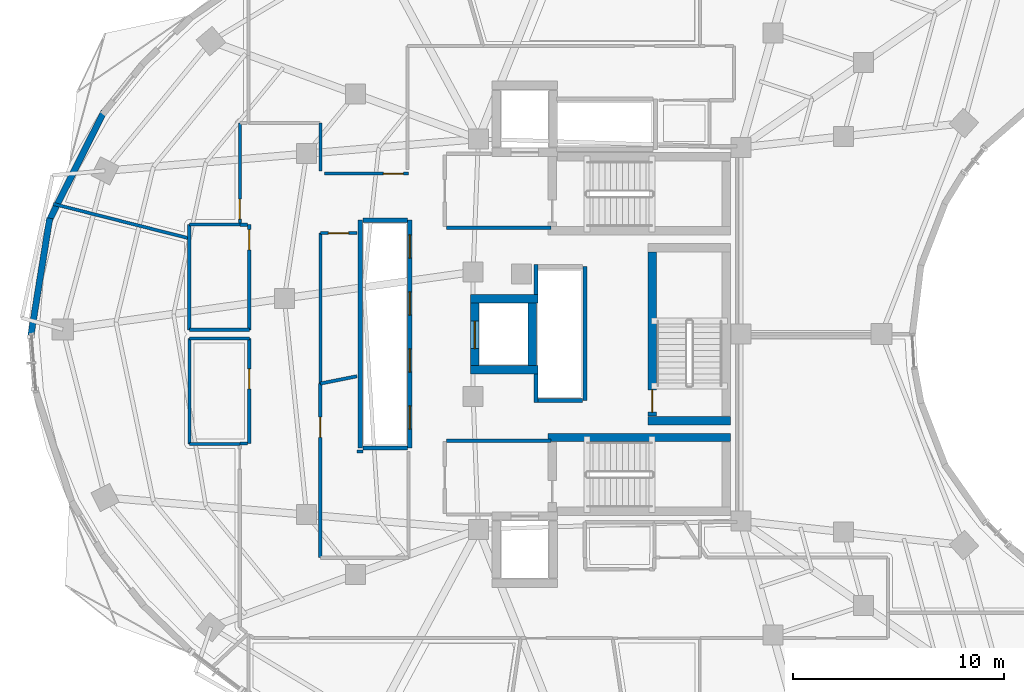
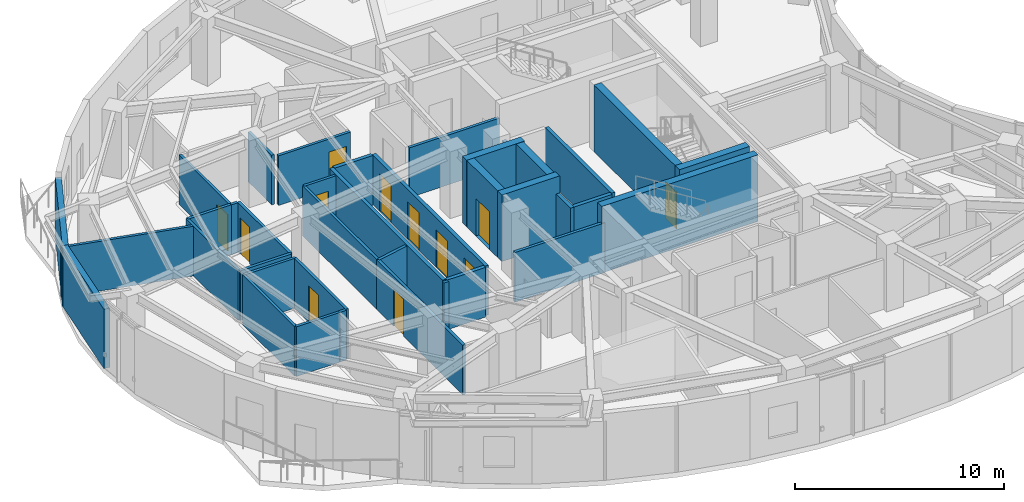
# One storey, part 9 of 15: 38 walls, 12 doors, 12 openings.
"""IFC4 building model written with IfcOpenShell, lengths in metres."""

from ifc_helpers import new_model, si_unit, direction, frame, frame_2d, origin, place, context, subcontext, project, spatial, rectangle, extrude, material, layer, layer_set, type_object, element, fill, save


model = new_model("IFC4")

# Units and contexts
model_context = context("Model", 3, precision=1e-05, world=origin(), true_north=direction((0.0, 1.0)))
body_context = subcontext(model_context, "Body", "Model", "MODEL_VIEW")
ifc_project = project(units=[si_unit("LENGTHUNIT", "METRE"), si_unit("AREAUNIT", "SQUARE_METRE"), si_unit("VOLUMEUNIT", "CUBIC_METRE"), si_unit("PLANEANGLEUNIT", "RADIAN"), si_unit("MASSUNIT", "GRAM", prefix="KILO")], contexts=[model_context])

# Site, building, storey
site_placement = place(None, origin())
site = spatial("IfcSite", under=ifc_project, at=site_placement, CompositionType="ELEMENT")
building_placement = place(site_placement, origin())
building = spatial("IfcBuilding", under=site, at=building_placement, Name="Korentha Bioscience Tower", CompositionType="ELEMENT")
storey_placement = place(building_placement, frame((0.0, 0.0, 235.199951171875)))
storey = spatial("IfcBuildingStorey", under=building, at=storey_placement, Name="L54", CompositionType="ELEMENT", Elevation=235.199951171875)

# Wall, opening, door
ifc_material_1 = material(Name="Double-Stud Acoustic Gypsum", Category="gypsum")
ifc_layer_1 = layer(ifc_material_1, 0.14990234375, Name="Double-Stud Acoustic Gypsum")
ifc_layer_set_1 = layer_set([ifc_layer_1], Name="Double-Stud Acoustic Gypsum (IW-L150)")
wall_type_1 = type_object("IfcWallType", Name="Acoustic Laboratory Partition Wall 150", PredefinedType="PARTITIONING", material=ifc_layer_set_1)
wall_1_placement = place(storey_placement, frame((14.239990234375, 26.800048828125, 0.0), z_axis=(0.0, 0.0, 1.0), x_axis=(0.0, -1.0, 0.0)))
wall_1 = element("IfcWall", 1, at=wall_1_placement, inside=storey, type_object=wall_type_1, Name="L54 Reclaimed Bank-1 Cold Freezer Alcove Entrance Wall", PredefinedType="PARTITIONING", context=body_context, shape_type="SweptSolid", body=[
    extrude(rectangle(XDim=4.989990234375, YDim=0.14990234375, at=frame_2d((2.4951171875, 0.0))), origin(), (0.0, 0.0, 1.0), 2.91015625),
])
opening_1_placement = place(wall_1_placement, frame((1.43994140625, 0.0, 0.0)))
opening_1 = element("IfcOpeningElement", 2, at=opening_1_placement, cuts=wall_1, Name="Opening ID-10L", PredefinedType="OPENING", context=body_context, shape_type="SweptSolid", body=[
    extrude(rectangle(XDim=0.949951171875, YDim=2.14990234375, at=frame_2d((0.47509765625, 1.074951171875))), frame((0.0, 0.08984375, 0.0), z_axis=(0.0, -1.0, 0.0), x_axis=(1.0, 0.0, 0.0)), (0.0, 0.0, 1.0), 0.1796875),
])
ifc_material_2 = material(Name="Phenolic Laminate Timber Core", Category="wood")
door_type_1 = type_object("IfcDoorType", Name="Laboratory Single Leaf Door 950x2150 Left", OperationType="SINGLE_SWING_LEFT", PredefinedType="DOOR", material=ifc_material_2)
door_1_placement = place(opening_1_placement, origin())
door_1 = element("IfcDoor", 3, at=door_1_placement, inside=storey, type_object=door_type_1, Name="L54 Reclaimed Bank-1 Cold Freezer Alcove Door", OperationType="SINGLE_SWING_LEFT", OverallHeight=2.14990234375, OverallWidth=0.949951171875, PredefinedType="DOOR", context=body_context, shape_type="SweptSolid", body=[
    extrude(rectangle(XDim=0.949951171875, YDim=2.14990234375, at=frame_2d((0.47509765625, 1.074951171875))), frame((0.0, 0.02490234375, 0.0), z_axis=(0.0, -1.0, 0.0), x_axis=(1.0, 0.0, 0.0)), (0.0, 0.0, 1.0), 0.050048828125),
])
fill(opening_1, door_1)

wall_2_placement = place(storey_placement, frame((21.7900390625, 34.610107421875, 0.0), z_axis=(0.0, 0.0, 1.0), x_axis=(-1.0, 0.0, 0.0)))
wall_2 = element("IfcWall", 4, at=wall_2_placement, inside=storey, type_object=wall_type_1, Name="L54 Neurobiology Electrophysiology Lab 10 Entrance Wall", PredefinedType="PARTITIONING", context=body_context, shape_type="SweptSolid", body=[
    extrude(rectangle(XDim=3.987060546875, YDim=0.14990234375, at=frame_2d((1.99365234375, 0.0))), origin(), (0.0, 0.0, 1.0), 2.91015625),
])
opening_2_placement = place(wall_2_placement, frame((0.239990234375, 0.0, 0.0)))
opening_2 = element("IfcOpeningElement", 5, at=opening_2_placement, cuts=wall_2, Name="Opening ID-10R", PredefinedType="OPENING", context=body_context, shape_type="SweptSolid", body=[
    extrude(rectangle(XDim=0.949951171875, YDim=2.14990234375, at=frame_2d((0.47509765625, 1.074951171875))), frame((0.0, 0.08984375, 0.0), z_axis=(0.0, -1.0, 0.0), x_axis=(1.0, 0.0, 0.0)), (0.0, 0.0, 1.0), 0.1796875),
])
door_type_2 = type_object("IfcDoorType", Name="Laboratory Single Leaf Door 950x2150 Right", OperationType="SINGLE_SWING_RIGHT", PredefinedType="DOOR", material=ifc_material_2)
door_2_placement = place(opening_2_placement, origin())
door_2 = element("IfcDoor", 6, at=door_2_placement, inside=storey, type_object=door_type_2, Name="L54 Neurobiology Electrophysiology Lab 10 Door", OperationType="SINGLE_SWING_RIGHT", OverallHeight=2.14990234375, OverallWidth=0.949951171875, PredefinedType="DOOR", context=body_context, shape_type="SweptSolid", body=[
    extrude(rectangle(XDim=0.949951171875, YDim=2.14990234375, at=frame_2d((0.47509765625, 1.074951171875))), frame((0.0, 0.02490234375, 0.0), z_axis=(0.0, -1.0, 0.0), x_axis=(1.0, 0.0, 0.0)), (0.0, 0.0, 1.0), 0.050048828125),
])
fill(opening_2, door_2)

wall_3_placement = place(storey_placement, frame((17.610107421875, 31.7900390625, 0.0), z_axis=(0.0, 0.0, 1.0), x_axis=(1.0, 0.0, 0.0)))
wall_3 = element("IfcWall", 7, at=wall_3_placement, inside=storey, type_object=wall_type_1, Name="L54 Bio-Printing Tissue Engineering Lab 12 Entrance Wall", PredefinedType="PARTITIONING", context=body_context, shape_type="SweptSolid", body=[
    extrude(rectangle(XDim=1.72998046875, YDim=0.14990234375, at=frame_2d((0.864990234375, 0.0))), origin(), (0.0, 0.0, 1.0), 2.91015625),
])
opening_3_placement = place(wall_3_placement, frame((0.385009765625, 0.0, 0.0)))
opening_3 = element("IfcOpeningElement", 8, at=opening_3_placement, cuts=wall_3, Name="Opening ID-10R", PredefinedType="OPENING", context=body_context, shape_type="SweptSolid", body=[
    extrude(rectangle(XDim=0.949951171875, YDim=2.14990234375, at=frame_2d((0.47509765625, 1.074951171875))), frame((0.0, 0.08984375, 0.0), z_axis=(0.0, -1.0, 0.0), x_axis=(1.0, 0.0, 0.0)), (0.0, 0.0, 1.0), 0.1796875),
])
door_3_placement = place(opening_3_placement, origin())
door_3 = element("IfcDoor", 9, at=door_3_placement, inside=storey, type_object=door_type_2, Name="L54 Bio-Printing Tissue Engineering Lab 12 Door", OperationType="SINGLE_SWING_RIGHT", OverallHeight=2.14990234375, OverallWidth=0.949951171875, PredefinedType="DOOR", context=body_context, shape_type="SweptSolid", body=[
    extrude(rectangle(XDim=0.949951171875, YDim=2.14990234375, at=frame_2d((0.47509765625, 1.074951171875))), frame((0.0, 0.02490234375, 0.0), z_axis=(0.0, -1.0, 0.0), x_axis=(1.0, 0.0, 0.0)), (0.0, 0.0, 1.0), 0.050048828125),
])
fill(opening_3, door_3)

# Walls
wall_4_placement = place(storey_placement, frame((14.162109375, 21.81005859375, 0.0), z_axis=(0.0, 0.0, 1.0), x_axis=(-1.0, 0.0, 0.0)))
element("IfcWall", 10, at=wall_4_placement, inside=storey, type_object=wall_type_1, Name="L54 Interior Partition 024", PredefinedType="PARTITIONING", context=body_context, shape_type="SweptSolid", body=[
    extrude(rectangle(XDim=0.362060546875, YDim=0.14990234375, at=frame_2d((0.18115234375, 0.0))), origin(), (0.0, 0.0, 1.0), 2.91015625),
])
wall_5_placement = place(storey_placement, frame((13.7900390625, 21.800048828125, 0.0), z_axis=(0.0, 0.0, 1.0), x_axis=(-1.0, 0.0, 0.0)))
element("IfcWall", 11, at=wall_5_placement, inside=storey, type_object=wall_type_1, Name="L54 Interior Partition 025", PredefinedType="PARTITIONING", context=body_context, shape_type="SweptSolid", body=[
    extrude(rectangle(XDim=2.39013671875, YDim=0.14990234375, at=frame_2d((1.195068359375, 0.0))), origin(), (0.0, 0.0, 1.0), 2.91015625),
])
wall_6_placement = place(storey_placement, frame((11.39990234375, 21.800048828125, 0.0), z_axis=(0.0, 0.0, 1.0), x_axis=(0.0, 1.0, 0.0)))
element("IfcWall", 12, at=wall_6_placement, inside=storey, type_object=wall_type_1, Name="L54 Interior Partition 026", PredefinedType="PARTITIONING", context=body_context, shape_type="SweptSolid", body=[
    extrude(rectangle(XDim=5.0, YDim=0.14990234375, at=frame_2d((2.5, 0.0))), origin(), (0.0, 0.0, 1.0), 2.91015625),
])
wall_7_placement = place(storey_placement, frame((11.39990234375, 26.800048828125, 0.0), z_axis=(0.0, 0.0, 1.0), x_axis=(1.0, 0.0, 0.0)))
element("IfcWall", 13, at=wall_7_placement, inside=storey, type_object=wall_type_1, Name="L54 Interior Partition 027", PredefinedType="PARTITIONING", context=body_context, shape_type="SweptSolid", body=[
    extrude(rectangle(XDim=2.840087890625, YDim=0.14990234375, at=frame_2d((1.419921875, 0.0))), origin(), (0.0, 0.0, 1.0), 2.91015625),
])
wall_8_placement = place(storey_placement, frame((4.95751953125, 33.17333984375, 0.0), z_axis=(0.0, 0.0, 1.0), x_axis=(0.969250966663, -0.246074305083, 0.0)))
element("IfcWall", 14, at=wall_8_placement, inside=storey, type_object=wall_type_1, Name="L54 Interior Partition 032", PredefinedType="PARTITIONING", context=body_context, shape_type="SweptSolid", body=[
    extrude(rectangle(XDim=6.636474609375, YDim=0.14990234375, at=frame_2d((3.318359375, 0.0))), origin(), (0.0, 0.0, 1.0), 2.91015625),
])
wall_9_placement = place(storey_placement, frame((17.610107421875, 34.73779296875, 0.0), z_axis=(0.0, 0.0, 1.0), x_axis=(0.0, 1.0, 0.0)))
element("IfcWall", 15, at=wall_9_placement, inside=storey, type_object=wall_type_1, Name="L54 Interior Partition 066", PredefinedType="PARTITIONING", context=body_context, shape_type="SweptSolid", body=[
    extrude(rectangle(XDim=2.26220703125, YDim=0.14990234375, at=frame_2d((1.131103515625, 0.0))), origin(), (0.0, 0.0, 1.0), 2.91015625),
])
wall_10_placement = place(storey_placement, frame((17.610107421875, 24.66650390625, 0.0), z_axis=(0.0, 0.0, 1.0), x_axis=(0.0, 1.0, 0.0)))
element("IfcWall", 16, at=wall_10_placement, inside=storey, type_object=wall_type_1, Name="L54 Interior Partition 071", PredefinedType="PARTITIONING", context=body_context, shape_type="SweptSolid", body=[
    extrude(rectangle(XDim=7.12353515625, YDim=0.14990234375, at=frame_2d((3.561767578125, 0.0))), origin(), (0.0, 0.0, 1.0), 2.91015625),
])

# Wall, opening, door
ifc_material_3 = material(Name="Insulated Aluminium Honeycomb Panel", Category="aluminium")
ifc_layer_2 = layer(ifc_material_3, 0.139892578125, Name="Insulated Aluminium Honeycomb Panel")
ifc_layer_set_2 = layer_set([ifc_layer_2], Name="Insulated Aluminium Honeycomb Panel (IW-F60)")
wall_type_2 = type_object("IfcWallType", Name="Cleanroom Flush Metal Panel Partition 140", PredefinedType="PARTITIONING", material=ifc_layer_set_2)
wall_11_placement = place(storey_placement, frame((13.7900390625, 37.0, 0.0), z_axis=(0.0, 0.0, 1.0), x_axis=(0.0, -1.0, 0.0)))
wall_11 = element("IfcWall", 17, at=wall_11_placement, inside=storey, type_object=wall_type_2, Name="L54 Stem-Cell Differentiation Cleanroom 11 Entrance Wall", PredefinedType="PARTITIONING", context=body_context, shape_type="SweptSolid", body=[
    extrude(rectangle(XDim=4.7900390625, YDim=0.139892578125, at=frame_2d((2.39501953125, 0.0))), origin(), (0.0, 0.0, 1.0), 2.91015625),
])
opening_4_placement = place(wall_11_placement, frame((3.60009765625, 0.0, 0.0)))
opening_4 = element("IfcOpeningElement", 18, at=opening_4_placement, cuts=wall_11, Name="Opening ID-10L", PredefinedType="OPENING", context=body_context, shape_type="SweptSolid", body=[
    extrude(rectangle(XDim=0.949951171875, YDim=2.14990234375, at=frame_2d((0.47509765625, 1.074951171875))), frame((0.0, 0.0849609375, 0.0), z_axis=(0.0, -1.0, 0.0), x_axis=(1.0, 0.0, 0.0)), (0.0, 0.0, 1.0), 0.169677734375),
])
door_4_placement = place(opening_4_placement, origin())
door_4 = element("IfcDoor", 19, at=door_4_placement, inside=storey, type_object=door_type_1, Name="L54 Stem-Cell Differentiation Cleanroom 11 Door", OperationType="SINGLE_SWING_LEFT", OverallHeight=2.14990234375, OverallWidth=0.949951171875, PredefinedType="DOOR", context=body_context, shape_type="SweptSolid", body=[
    extrude(rectangle(XDim=0.949951171875, YDim=2.14990234375, at=frame_2d((0.47509765625, 1.074951171875))), frame((0.0, 0.02490234375, 0.0), z_axis=(0.0, -1.0, 0.0), x_axis=(1.0, 0.0, 0.0)), (0.0, 0.0, 1.0), 0.050048828125),
])
fill(opening_4, door_4)

# Walls
ifc_material_4 = material(Name="Gypsum-Clad Steel Stud", Category="steel")
ifc_layer_3 = layer(ifc_material_4, 0.159912109375, Name="Gypsum-Clad Steel Stud")
ifc_layer_set_3 = layer_set([ifc_layer_3], Name="Gypsum-Clad Steel Stud (IW-C160)")
wall_type_3 = type_object("IfcWallType", Name="Fire-Rated Corridor Partition Wall 160", PredefinedType="PARTITIONING", material=ifc_layer_set_3)
for number, where, z_axis, x_axis, name in (
    (20, (23.580078125, 32.050048828125, 0.0), (0.0, 0.0, 1.0), (1.0, 0.0, 0.0), "L54 Firefighting Lobby Return Wall FFLN-S"),
    (21, (23.580078125, 21.949951171875, 0.0), (0.0, 0.0, 1.0), (1.0, 0.0, 0.0), "L54 Firefighting Lobby Return Wall FFLS-N"),
):
    element("IfcWall", number, at=place(storey_placement, frame(where, z_axis=z_axis, x_axis=x_axis)), inside=storey, type_object=wall_type_3, Name=name, PredefinedType="PARTITIONING", context=body_context, shape_type="SweptSolid", body=[
        extrude(rectangle(XDim=4.969970703125, YDim=0.159912109375, at=frame_2d((2.48486328125, 0.0))), origin(), (0.0, 0.0, 1.0), 2.91015625),
    ])

# Wall, opening, door
wall_12_placement = place(storey_placement, frame((14.239990234375, 32.18994140625, 0.0), z_axis=(0.0, 0.0, 1.0), x_axis=(0.0, -1.0, 0.0)))
wall_12 = element("IfcWall", 22, at=wall_12_placement, inside=storey, type_object=wall_type_3, Name="L54 Reclaimed Bank-1 Glassware Store Entrance Wall", PredefinedType="PARTITIONING", context=body_context, shape_type="SweptSolid", body=[
    extrude(rectangle(XDim=4.989990234375, YDim=0.159912109375, at=frame_2d((2.4951171875, 0.0))), origin(), (0.0, 0.0, 1.0), 2.91015625),
])
opening_5_placement = place(wall_12_placement, frame((0.239990234375, 0.0, 0.0)))
opening_5 = element("IfcOpeningElement", 23, at=opening_5_placement, cuts=wall_12, Name="Opening ID-10R", PredefinedType="OPENING", context=body_context, shape_type="SweptSolid", body=[
    extrude(rectangle(XDim=0.949951171875, YDim=2.14990234375, at=frame_2d((0.47509765625, 1.074951171875))), frame((0.0, 0.0947265625, 0.0), z_axis=(0.0, -1.0, 0.0), x_axis=(1.0, 0.0, 0.0)), (0.0, 0.0, 1.0), 0.189697265625),
])
door_5_placement = place(opening_5_placement, origin())
door_5 = element("IfcDoor", 24, at=door_5_placement, inside=storey, type_object=door_type_2, Name="L54 Reclaimed Bank-1 Glassware Store Door", OperationType="SINGLE_SWING_RIGHT", OverallHeight=2.14990234375, OverallWidth=0.949951171875, PredefinedType="DOOR", context=body_context, shape_type="SweptSolid", body=[
    extrude(rectangle(XDim=0.949951171875, YDim=2.14990234375, at=frame_2d((0.47509765625, 1.074951171875))), frame((0.0, 0.02490234375, 0.0), z_axis=(0.0, -1.0, 0.0), x_axis=(1.0, 0.0, 0.0)), (0.0, 0.0, 1.0), 0.050048828125),
])
fill(opening_5, door_5)

wall_13_placement = place(storey_placement, frame((17.610107421875, 16.409912109375, 0.0), z_axis=(0.0, 0.0, 1.0), x_axis=(0.0, 1.0, 0.0)))
wall_13 = element("IfcWall", 25, at=wall_13_placement, inside=storey, type_object=wall_type_3, Name="L54 Biospecimen Archive Store 02 Entrance Wall", PredefinedType="PARTITIONING", context=body_context, shape_type="SweptSolid", body=[
    extrude(rectangle(XDim=8.246337890625, YDim=0.159912109375, at=frame_2d((4.123046875, 0.0))), origin(), (0.0, 0.0, 1.0), 2.91015625),
])
opening_6_placement = place(wall_13_placement, frame((5.701416015625, 0.0, 0.0)))
opening_6 = element("IfcOpeningElement", 26, at=opening_6_placement, cuts=wall_13, Name="Opening ID-10R", PredefinedType="OPENING", context=body_context, shape_type="SweptSolid", body=[
    extrude(rectangle(XDim=0.949951171875, YDim=2.14990234375, at=frame_2d((0.47509765625, 1.074951171875))), frame((0.0, 0.0947265625, 0.0), z_axis=(0.0, -1.0, 0.0), x_axis=(1.0, 0.0, 0.0)), (0.0, 0.0, 1.0), 0.189697265625),
])
door_6_placement = place(opening_6_placement, origin())
door_6 = element("IfcDoor", 27, at=door_6_placement, inside=storey, type_object=door_type_2, Name="L54 Biospecimen Archive Store 02 Door", OperationType="SINGLE_SWING_RIGHT", OverallHeight=2.14990234375, OverallWidth=0.949951171875, PredefinedType="DOOR", context=body_context, shape_type="SweptSolid", body=[
    extrude(rectangle(XDim=0.949951171875, YDim=2.14990234375, at=frame_2d((0.47509765625, 1.074951171875))), frame((0.0, 0.02490234375, 0.0), z_axis=(0.0, -1.0, 0.0), x_axis=(1.0, 0.0, 0.0)), (0.0, 0.0, 1.0), 0.050048828125),
])
fill(opening_6, door_6)

# Walls
wall_14_placement = place(storey_placement, frame((13.800048828125, 32.18994140625, 0.0), z_axis=(0.0, 0.0, 1.0), x_axis=(1.0, 0.0, 0.0)))
element("IfcWall", 28, at=wall_14_placement, inside=storey, type_object=wall_type_3, Name="L54 Interior Partition 028", PredefinedType="PARTITIONING", context=body_context, shape_type="SweptSolid", body=[
    extrude(rectangle(XDim=0.35693359375, YDim=0.159912109375, at=frame_2d((0.178466796875, 0.0))), origin(), (0.0, 0.0, 1.0), 2.91015625),
])
wall_15_placement = place(storey_placement, frame((14.239990234375, 27.199951171875, 0.0), z_axis=(0.0, 0.0, 1.0), x_axis=(-1.0, 0.0, 0.0)))
element("IfcWall", 29, at=wall_15_placement, inside=storey, type_object=wall_type_3, Name="L54 Interior Partition 029", PredefinedType="PARTITIONING", context=body_context, shape_type="SweptSolid", body=[
    extrude(rectangle(XDim=2.840087890625, YDim=0.159912109375, at=frame_2d((1.419921875, 0.0))), origin(), (0.0, 0.0, 1.0), 2.91015625),
])
wall_16_placement = place(storey_placement, frame((11.39990234375, 27.199951171875, 0.0), z_axis=(0.0, 0.0, 1.0), x_axis=(0.0, 1.0, 0.0)))
element("IfcWall", 30, at=wall_16_placement, inside=storey, type_object=wall_type_3, Name="L54 Interior Partition 030", PredefinedType="PARTITIONING", context=body_context, shape_type="SweptSolid", body=[
    extrude(rectangle(XDim=5.0, YDim=0.159912109375, at=frame_2d((2.5, 0.0))), origin(), (0.0, 0.0, 1.0), 2.91015625),
])
wall_17_placement = place(storey_placement, frame((11.39990234375, 32.199951171875, 0.0), z_axis=(0.0, 0.0, 1.0), x_axis=(1.0, 0.0, 0.0)))
element("IfcWall", 31, at=wall_17_placement, inside=storey, type_object=wall_type_3, Name="L54 Interior Partition 031", PredefinedType="PARTITIONING", context=body_context, shape_type="SweptSolid", body=[
    extrude(rectangle(XDim=2.39013671875, YDim=0.159912109375, at=frame_2d((1.195068359375, 0.0))), origin(), (0.0, 0.0, 1.0), 2.91015625),
])
wall_18_placement = place(storey_placement, frame((19.35009765625, 21.43994140625, 0.0), z_axis=(0.0, 0.0, 1.0), x_axis=(1.0, 0.0, 0.0)))
element("IfcWall", 32, at=wall_18_placement, inside=storey, type_object=wall_type_3, Name="L54 Interior Partition 035", PredefinedType="PARTITIONING", context=body_context, shape_type="SweptSolid", body=[
    extrude(rectangle(XDim=0.27001953125, YDim=0.159912109375, at=frame_2d((0.135009765625, 0.0))), origin(), (0.0, 0.0, 1.0), 2.91015625),
])
wall_19_placement = place(storey_placement, frame((17.610107421875, 24.65625, 0.0), z_axis=(0.0, 0.0, 1.0), x_axis=(0.980447388895, 0.196781395485, 0.0)))
element("IfcWall", 33, at=wall_19_placement, inside=storey, type_object=wall_type_3, Name="L54 Interior Partition 038", PredefinedType="PARTITIONING", context=body_context, shape_type="SweptSolid", body=[
    extrude(rectangle(XDim=1.76416015625, YDim=0.159912109375, at=frame_2d((0.882080078125, 0.0))), origin(), (0.0, 0.0, 1.0), 2.91015625),
])
ifc_material_5 = material(Name="Honed Limestone Precast Concrete C40", Category="masonry")
ifc_layer_4 = layer(ifc_material_5, 0.300048828125, Name="Honed Limestone Precast Concrete C40")
ifc_layer_set_4 = layer_set([ifc_layer_4], Name="Honed Limestone Precast Concrete C40 (EW-ST300)")
wall_type_4 = type_object("IfcWallType", Name="Honed Limestone Cavity Spandrel Wall 300", PredefinedType="STANDARD", material=ifc_layer_set_4)
wall_20_placement = place(storey_placement, frame((7.363037109375, 37.576904296875, 0.0), z_axis=(0.0, 0.0, 1.0), x_axis=(-0.448240215972, -0.893913143871, 0.0)))
element("IfcWall", 34, at=wall_20_placement, inside=storey, type_object=wall_type_4, Name="L54 Limestone Perimeter Closure Wall 15", PredefinedType="STANDARD", context=body_context, shape_type="SweptSolid", body=[
    extrude(rectangle(XDim=5.89599609375, YDim=0.300048828125, at=frame_2d((2.947998046875, 0.0))), origin(), (0.0, 0.0, 1.0), 3.469970703125),
])
wall_21_placement = place(storey_placement, frame((4.78173828125, 32.497314453125, 0.0), z_axis=(0.0, 0.0, 1.0), x_axis=(-0.158573166105, -0.987347229191, 0.0)))
element("IfcWall", 35, at=wall_21_placement, inside=storey, type_object=wall_type_4, Name="L54 Limestone Perimeter Closure Wall 17", PredefinedType="STANDARD", context=body_context, shape_type="SweptSolid", body=[
    extrude(rectangle(XDim=5.67041015625, YDim=0.300048828125, at=frame_2d((2.835205078125, 0.0))), origin(), (0.0, 0.0, 1.0), 3.469970703125),
])
ifc_material_6 = material(Name="Autoclaved Aerated Concrete Block C25", Category="concrete")
ifc_layer_5 = layer(ifc_material_6, 0.199951171875, Name="Autoclaved Aerated Concrete Block C25")
ifc_layer_set_5 = layer_set([ifc_layer_5], Name="Autoclaved Aerated Concrete Block C25 (IW-S200)")
wall_type_5 = type_object("IfcWallType", Name="Lift and Riser Shaft Enclosure Wall 200", PredefinedType="PARTITIONING", material=ifc_layer_set_5)
wall_22_placement = place(storey_placement, frame((19.5, 21.60009765625, 0.0), z_axis=(0.0, 0.0, 1.0), x_axis=(0.0, 1.0, 0.0)))
element("IfcWall", 36, at=wall_22_placement, inside=storey, type_object=wall_type_5, Name="L54 Lift Bank MID Shaft Wall -X", PredefinedType="PARTITIONING", context=body_context, shape_type="SweptSolid", body=[
    extrude(rectangle(XDim=10.7998046875, YDim=0.199951171875, at=frame_2d((5.39990234375, 0.0))), origin(), (0.0, 0.0, 1.0), 2.91015625),
])

# Wall, openings, doors
wall_23_placement = place(storey_placement, frame((21.85009765625, 21.60009765625, 0.0), z_axis=(0.0, 0.0, 1.0), x_axis=(0.0, 1.0, 0.0)))
wall_23 = element("IfcWall", 37, at=wall_23_placement, inside=storey, type_object=wall_type_5, Name="L54 Lift Bank MID Shaft Wall +X", PredefinedType="PARTITIONING", context=body_context, shape_type="SweptSolid", body=[
    extrude(rectangle(XDim=10.7998046875, YDim=0.199951171875, at=frame_2d((5.39990234375, 0.0))), origin(), (0.0, 0.0, 1.0), 2.91015625),
])
opening_7_placement = place(wall_23_placement, frame((0.89990234375, 0.0, 0.0)))
opening_7 = element("IfcOpeningElement", 38, at=opening_7_placement, cuts=wall_23, Name="Opening LD-11", PredefinedType="OPENING", context=body_context, shape_type="SweptSolid", body=[
    extrude(rectangle(XDim=1.10009765625, YDim=2.199951171875, at=frame_2d((0.550048828125, 1.10009765625))), frame((0.0, 0.11474609375, 0.0), z_axis=(0.0, -1.0, 0.0), x_axis=(1.0, 0.0, 0.0)), (0.0, 0.0, 1.0), 0.229736328125),
])
opening_8_placement = place(wall_23_placement, frame((3.60009765625, 0.0, 0.0)))
opening_8 = element("IfcOpeningElement", 39, at=opening_8_placement, cuts=wall_23, Name="Opening LD-11", PredefinedType="OPENING", context=body_context, shape_type="SweptSolid", body=[
    extrude(rectangle(XDim=1.10009765625, YDim=2.199951171875, at=frame_2d((0.550048828125, 1.10009765625))), frame((0.0, 0.11474609375, 0.0), z_axis=(0.0, -1.0, 0.0), x_axis=(1.0, 0.0, 0.0)), (0.0, 0.0, 1.0), 0.229736328125),
])
opening_9_placement = place(wall_23_placement, frame((6.300048828125, 0.0, 0.0)))
opening_9 = element("IfcOpeningElement", 40, at=opening_9_placement, cuts=wall_23, Name="Opening LD-11", PredefinedType="OPENING", context=body_context, shape_type="SweptSolid", body=[
    extrude(rectangle(XDim=1.10009765625, YDim=2.199951171875, at=frame_2d((0.550048828125, 1.10009765625))), frame((0.0, 0.11474609375, 0.0), z_axis=(0.0, -1.0, 0.0), x_axis=(1.0, 0.0, 0.0)), (0.0, 0.0, 1.0), 0.229736328125),
])
opening_10_placement = place(wall_23_placement, frame((9.0, 0.0, 0.0)))
opening_10 = element("IfcOpeningElement", 41, at=opening_10_placement, cuts=wall_23, Name="Opening LD-11", PredefinedType="OPENING", context=body_context, shape_type="SweptSolid", body=[
    extrude(rectangle(XDim=1.10009765625, YDim=2.199951171875, at=frame_2d((0.550048828125, 1.10009765625))), frame((0.0, 0.11474609375, 0.0), z_axis=(0.0, -1.0, 0.0), x_axis=(1.0, 0.0, 0.0)), (0.0, 0.0, 1.0), 0.229736328125),
])
ifc_material_7 = material(Name="Brushed Stainless Steel 304", Category="steel")
door_type_3 = type_object("IfcDoorType", Name="Passenger Lift Sliding Landing Door 1100x2200", OperationType="DOUBLE_DOOR_SLIDING", PredefinedType="DOOR", material=ifc_material_7)
door_7_placement = place(opening_7_placement, origin())
door_7 = element("IfcDoor", 42, at=door_7_placement, inside=storey, type_object=door_type_3, Name="L54 PL-M1 Sliding Lift Landing Door", OperationType="DOUBLE_DOOR_SLIDING", OverallHeight=2.199951171875, OverallWidth=1.10009765625, PredefinedType="DOOR", context=body_context, shape_type="SweptSolid", body=[
    extrude(rectangle(XDim=1.10009765625, YDim=2.199951171875, at=frame_2d((0.550048828125, 1.10009765625))), frame((0.0, 0.02490234375, 0.0), z_axis=(0.0, -1.0, 0.0), x_axis=(1.0, 0.0, 0.0)), (0.0, 0.0, 1.0), 0.050048828125),
])
fill(opening_7, door_7)
door_8_placement = place(opening_8_placement, origin())
door_8 = element("IfcDoor", 43, at=door_8_placement, inside=storey, type_object=door_type_3, Name="L54 PL-M2 Sliding Lift Landing Door", OperationType="DOUBLE_DOOR_SLIDING", OverallHeight=2.199951171875, OverallWidth=1.10009765625, PredefinedType="DOOR", context=body_context, shape_type="SweptSolid", body=[
    extrude(rectangle(XDim=1.10009765625, YDim=2.199951171875, at=frame_2d((0.550048828125, 1.10009765625))), frame((0.0, 0.02490234375, 0.0), z_axis=(0.0, -1.0, 0.0), x_axis=(1.0, 0.0, 0.0)), (0.0, 0.0, 1.0), 0.050048828125),
])
fill(opening_8, door_8)
door_9_placement = place(opening_9_placement, origin())
door_9 = element("IfcDoor", 44, at=door_9_placement, inside=storey, type_object=door_type_3, Name="L54 PL-M3 Sliding Lift Landing Door", OperationType="DOUBLE_DOOR_SLIDING", OverallHeight=2.199951171875, OverallWidth=1.10009765625, PredefinedType="DOOR", context=body_context, shape_type="SweptSolid", body=[
    extrude(rectangle(XDim=1.10009765625, YDim=2.199951171875, at=frame_2d((0.550048828125, 1.10009765625))), frame((0.0, 0.02490234375, 0.0), z_axis=(0.0, -1.0, 0.0), x_axis=(1.0, 0.0, 0.0)), (0.0, 0.0, 1.0), 0.050048828125),
])
fill(opening_9, door_9)
door_10_placement = place(opening_10_placement, origin())
door_10 = element("IfcDoor", 45, at=door_10_placement, inside=storey, type_object=door_type_3, Name="L54 PL-M4 Sliding Lift Landing Door", OperationType="DOUBLE_DOOR_SLIDING", OverallHeight=2.199951171875, OverallWidth=1.10009765625, PredefinedType="DOOR", context=body_context, shape_type="SweptSolid", body=[
    extrude(rectangle(XDim=1.10009765625, YDim=2.199951171875, at=frame_2d((0.550048828125, 1.10009765625))), frame((0.0, 0.02490234375, 0.0), z_axis=(0.0, -1.0, 0.0), x_axis=(1.0, 0.0, 0.0)), (0.0, 0.0, 1.0), 0.050048828125),
])
fill(opening_10, door_10)

# Walls
for number, where, z_axis, x_axis, name in (
    (46, (19.6201171875, 21.60009765625, 0.0), (0.0, 0.0, 1.0), (1.0, 0.0, 0.0), "L54 Lift Bank MID Shaft Wall -Y"),
    (47, (19.6201171875, 32.39990234375, 0.0), (0.0, 0.0, 1.0), (1.0, 0.0, 0.0), "L54 Lift Bank MID Shaft Wall +Y"),
):
    element("IfcWall", number, at=place(storey_placement, frame(where, z_axis=z_axis, x_axis=x_axis)), inside=storey, type_object=wall_type_5, Name=name, PredefinedType="PARTITIONING", context=body_context, shape_type="SweptSolid", body=[
        extrude(rectangle(XDim=2.10986328125, YDim=0.199951171875, at=frame_2d((1.054931640625, 0.0))), origin(), (0.0, 0.0, 1.0), 2.91015625),
    ])
wall_24_placement = place(storey_placement, frame((27.830078125, 23.75, 0.0), z_axis=(0.0, 0.0, 1.0), x_axis=(0.0, 1.0, 0.0)))
element("IfcWall", 48, at=wall_24_placement, inside=storey, type_object=wall_type_5, Name="L54 Lift Bank HIGH Shaft Wall -XS", PredefinedType="PARTITIONING", context=body_context, shape_type="SweptSolid", body=[
    extrude(rectangle(XDim=1.365966796875, YDim=0.199951171875, at=frame_2d((0.68310546875, 0.0))), origin(), (0.0, 0.0, 1.0), 2.91015625),
])
wall_25_placement = place(storey_placement, frame((27.830078125, 28.884033203125, 0.0), z_axis=(0.0, 0.0, 1.0), x_axis=(0.0, 1.0, 0.0)))
element("IfcWall", 49, at=wall_25_placement, inside=storey, type_object=wall_type_5, Name="L54 Lift Bank HIGH Shaft Wall -XN", PredefinedType="PARTITIONING", context=body_context, shape_type="SweptSolid", body=[
    extrude(rectangle(XDim=1.416015625, YDim=0.199951171875, at=frame_2d((0.7080078125, 0.0))), origin(), (0.0, 0.0, 1.0), 2.91015625),
])
wall_26_placement = place(storey_placement, frame((30.14990234375, 23.85009765625, 0.0), z_axis=(0.0, 0.0, 1.0), x_axis=(0.0, 1.0, 0.0)))
element("IfcWall", 50, at=wall_26_placement, inside=storey, type_object=wall_type_5, Name="L54 Lift Bank HIGH Shaft Wall +X", PredefinedType="PARTITIONING", context=body_context, shape_type="SweptSolid", body=[
    extrude(rectangle(XDim=6.349853515625, YDim=0.199951171875, at=frame_2d((3.1748046875, 0.0))), origin(), (0.0, 0.0, 1.0), 2.91015625),
])
wall_27_placement = place(storey_placement, frame((27.93408203125, 23.85009765625, 0.0), z_axis=(0.0, 0.0, 1.0), x_axis=(1.0, 0.0, 0.0)))
element("IfcWall", 51, at=wall_27_placement, inside=storey, type_object=wall_type_5, Name="L54 Lift Bank HIGH Shaft Wall -Y", PredefinedType="PARTITIONING", context=body_context, shape_type="SweptSolid", body=[
    extrude(rectangle(XDim=2.095947265625, YDim=0.199951171875, at=frame_2d((1.0478515625, 0.0))), origin(), (0.0, 0.0, 1.0), 2.91015625),
])
ifc_material_8 = material(Name="Concrete C65", Category="concrete")
ifc_layer_6 = layer(ifc_material_8, 0.39990234375, Name="Concrete C65")
ifc_layer_set_6 = layer_set([ifc_layer_6], Name="Concrete C65 (CW-C65)")
wall_type_6 = type_object("IfcWallType", Name="Mid-Rise Core Shear Wall 400", PredefinedType="SHEAR", material=ifc_layer_set_6)
wall_28_placement = place(storey_placement, frame((28.39990234375, 22.10009765625, 0.0), z_axis=(0.0, 0.0, 1.0), x_axis=(1.0, 0.0, 0.0)))
element("IfcWall", 52, at=wall_28_placement, inside=storey, type_object=wall_type_6, Name="L54 Core Shear Wall ST2-N", PredefinedType="SHEAR", context=body_context, shape_type="SweptSolid", body=[
    extrude(rectangle(XDim=8.650146484375, YDim=0.39990234375, at=frame_2d((4.3251953125, 0.0))), origin(), (0.0, 0.0, 1.0), 3.900146484375),
])
wall_29_placement = place(storey_placement, frame((33.14990234375, 22.89990234375, 0.0), z_axis=(0.0, 0.0, 1.0), x_axis=(1.0, 0.0, 0.0)))
element("IfcWall", 53, at=wall_29_placement, inside=storey, type_object=wall_type_6, Name="L54 Core Shear Wall ST3-S", PredefinedType="SHEAR", context=body_context, shape_type="SweptSolid", body=[
    extrude(rectangle(XDim=3.900146484375, YDim=0.39990234375, at=frame_2d((1.9501953125, 0.0))), origin(), (0.0, 0.0, 1.0), 3.900146484375),
])

# Wall, opening, door
wall_30_placement = place(storey_placement, frame((33.35009765625, 23.110107421875, 0.0), z_axis=(0.0, 0.0, 1.0), x_axis=(0.0, 1.0, 0.0)))
wall_30 = element("IfcWall", 54, at=wall_30_placement, inside=storey, type_object=wall_type_6, Name="L54 Core Shear Wall ST3-W", PredefinedType="SHEAR", context=body_context, shape_type="SweptSolid", body=[
    extrude(rectangle(XDim=7.77978515625, YDim=0.39990234375, at=frame_2d((3.889892578125, 0.0))), origin(), (0.0, 0.0, 1.0), 3.900146484375),
])
opening_11_placement = place(wall_30_placement, frame((0.199951171875, 0.0, 0.0)))
opening_11 = element("IfcOpeningElement", 55, at=opening_11_placement, cuts=wall_30, Name="Opening FD-90L", PredefinedType="OPENING", context=body_context, shape_type="SweptSolid", body=[
    extrude(rectangle(XDim=1.050048828125, YDim=2.14990234375, at=frame_2d((0.52490234375, 1.074951171875))), frame((0.0, 0.21484375, 0.0), z_axis=(0.0, -1.0, 0.0), x_axis=(1.0, 0.0, 0.0)), (0.0, 0.0, 1.0), 0.4296875),
])
ifc_material_9 = material(Name="Powder-Coated Fire-Rated Steel", Category="steel")
door_type_4 = type_object("IfcDoorType", Name="Stairwell Fire Exit Door 1050x2150 Left", OperationType="SINGLE_SWING_LEFT", PredefinedType="DOOR", material=ifc_material_9)
door_11_placement = place(opening_11_placement, origin())
door_11 = element("IfcDoor", 56, at=door_11_placement, inside=storey, type_object=door_type_4, Name="L54 ST-3 Fire Exit Stair Door", OperationType="SINGLE_SWING_LEFT", OverallHeight=2.14990234375, OverallWidth=1.050048828125, PredefinedType="DOOR", context=body_context, shape_type="SweptSolid", body=[
    extrude(rectangle(XDim=1.050048828125, YDim=2.14990234375, at=frame_2d((0.52490234375, 1.074951171875))), frame((0.0, 0.02490234375, 0.0), z_axis=(0.0, -1.0, 0.0), x_axis=(1.0, 0.0, 0.0)), (0.0, 0.0, 1.0), 0.050048828125),
])
fill(opening_11, door_11)

# Walls
for number, where, z_axis, x_axis, name in (
    (57, (24.719970703125, 28.679931640625, 0.0), (0.0, 0.0, 1.0), (1.0, 0.0, 0.0), "L54 Core Shear Wall SVL1-N"),
    (58, (24.719970703125, 25.320068359375, 0.0), (0.0, 0.0, 1.0), (1.0, 0.0, 0.0), "L54 Core Shear Wall SVL1-S"),
):
    element("IfcWall", number, at=place(storey_placement, frame(where, z_axis=z_axis, x_axis=x_axis)), inside=storey, type_object=wall_type_6, Name=name, PredefinedType="SHEAR", context=body_context, shape_type="SweptSolid", body=[
        extrude(rectangle(XDim=3.2099609375, YDim=0.39990234375, at=frame_2d((1.60498046875, 0.0))), origin(), (0.0, 0.0, 1.0), 3.900146484375),
    ])

# Wall, opening, door
wall_31_placement = place(storey_placement, frame((24.919921875, 25.52197265625, 0.0), z_axis=(0.0, 0.0, 1.0), x_axis=(0.0, 1.0, 0.0)))
wall_31 = element("IfcWall", 59, at=wall_31_placement, inside=storey, type_object=wall_type_6, Name="L54 Core Shear Wall SVL1-W", PredefinedType="SHEAR", context=body_context, shape_type="SweptSolid", body=[
    extrude(rectangle(XDim=2.9560546875, YDim=0.39990234375, at=frame_2d((1.47802734375, 0.0))), origin(), (0.0, 0.0, 1.0), 3.900146484375),
])
opening_12_placement = place(wall_31_placement, frame((0.7900390625, 0.0, 0.0)))
opening_12 = element("IfcOpeningElement", 60, at=opening_12_placement, cuts=wall_31, Name="Opening LD-13", PredefinedType="OPENING", context=body_context, shape_type="SweptSolid", body=[
    extrude(rectangle(XDim=1.300048828125, YDim=2.199951171875, at=frame_2d((0.64990234375, 1.10009765625))), frame((0.0, 0.21484375, 0.0), z_axis=(0.0, -1.0, 0.0), x_axis=(1.0, 0.0, 0.0)), (0.0, 0.0, 1.0), 0.4296875),
])
ifc_material_10 = material(Name="Brushed Stainless Steel 316", Category="steel")
door_type_5 = type_object("IfcDoorType", Name="Service & Firefighting Lift Landing Door 1300x2300", OperationType="DOUBLE_DOOR_SLIDING", PredefinedType="DOOR", material=ifc_material_10)
door_12_placement = place(opening_12_placement, origin())
door_12 = element("IfcDoor", 61, at=door_12_placement, inside=storey, type_object=door_type_5, Name="L54 SVL-1 Sliding Lift Landing Door", OperationType="DOUBLE_DOOR_SLIDING", OverallHeight=2.199951171875, OverallWidth=1.300048828125, PredefinedType="DOOR", context=body_context, shape_type="SweptSolid", body=[
    extrude(rectangle(XDim=1.300048828125, YDim=2.199951171875, at=frame_2d((0.64990234375, 1.10009765625))), frame((0.0, 0.02490234375, 0.0), z_axis=(0.0, -1.0, 0.0), x_axis=(1.0, 0.0, 0.0)), (0.0, 0.0, 1.0), 0.050048828125),
])
fill(opening_12, door_12)

# Wall
wall_32_placement = place(storey_placement, frame((27.64990234375, 25.52197265625, 0.0), z_axis=(0.0, 0.0, 1.0), x_axis=(0.0, 1.0, 0.0)))
element("IfcWall", 62, at=wall_32_placement, inside=storey, type_object=wall_type_6, Name="L54 Core Shear Wall SVL1-E", PredefinedType="SHEAR", context=body_context, shape_type="SweptSolid", body=[
    extrude(rectangle(XDim=2.9560546875, YDim=0.39990234375, at=frame_2d((1.47802734375, 0.0))), origin(), (0.0, 0.0, 1.0), 3.900146484375),
])

save(model, "model.ifc")
